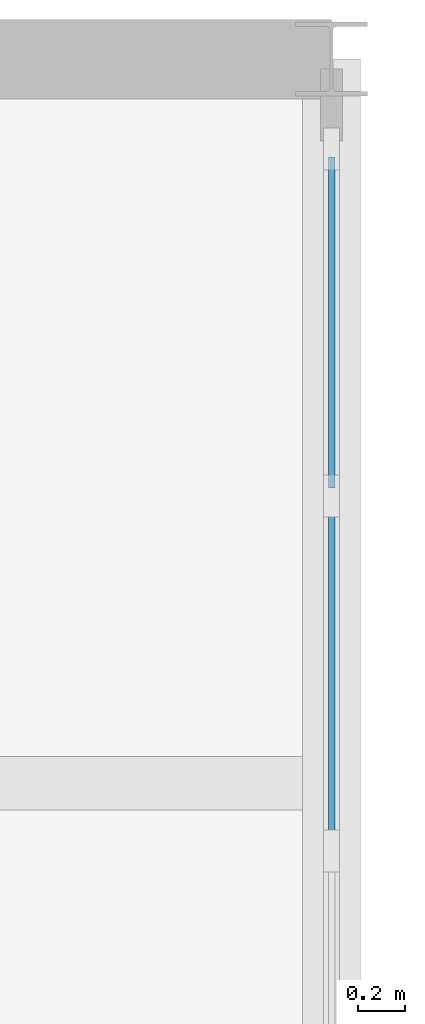
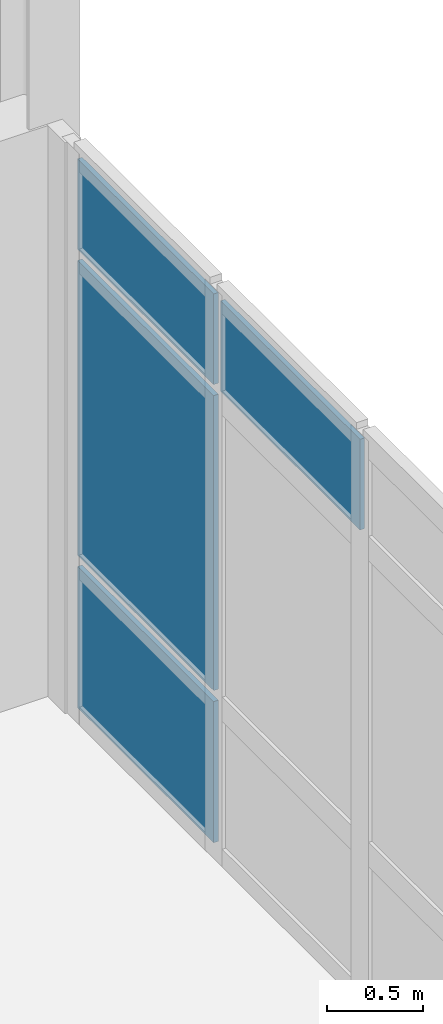
# One storey, part 102 of 134: 4 plates, 1 element without a shape of its own.
"""IFC4 building model written with IfcOpenShell, lengths in metres."""

from ifc_helpers import new_model, si_unit, direction, frame, origin, origin_2d, place, context, subcontext, project, spatial, rectangle, extrude, material, layer, layer_set, type_object, element, aggregate, save


model = new_model("IFC4")

# Units and contexts
model_context = context("Model", 3, precision=1e-05, world=origin(), true_north=direction((0.0, 1.0)))
body_context = subcontext(model_context, "Body", "Model", "MODEL_VIEW")
ifc_project = project(units=[si_unit("LENGTHUNIT", "METRE"), si_unit("AREAUNIT", "SQUARE_METRE"), si_unit("VOLUMEUNIT", "CUBIC_METRE"), si_unit("PLANEANGLEUNIT", "RADIAN"), si_unit("MASSUNIT", "GRAM", prefix="KILO")], contexts=[model_context])

# Site, building, storey
site_placement = place(None, origin())
site = spatial("IfcSite", under=ifc_project, at=site_placement, CompositionType="ELEMENT")
building_placement = place(site_placement, origin())
building = spatial("IfcBuilding", under=site, at=building_placement, Name="Tameran Prism Museum", CompositionType="ELEMENT")
storey_placement = place(building_placement, frame((0.0, 0.0, 5.39990234375)))
storey = spatial("IfcBuildingStorey", under=building, at=storey_placement, Name="L01", CompositionType="ELEMENT", Elevation=5.39990234375)

# Curtain wall, plates
ifc_material_1 = material(Name="Anodised Aluminium 6063-T6 and Cyclone Solar Glass", Category="aluminium")
curtain_wall_type = type_object("IfcCurtainWallType", Name="CW-FAC-1520x362", PredefinedType="USERDEFINED", material=ifc_material_1)
curtain_wall_placement = place(storey_placement, origin())
curtain_wall = element("IfcCurtainWall", 1, at=curtain_wall_placement, inside=storey, type_object=curtain_wall_type, Name="Unitised Curtain Wall CW-060", ObjectType="UNITISED CURTAIN WALL", PredefinedType="USERDEFINED")
ifc_material_2 = material(Name="Low-E Laminated Solar Glass", Category="glass")
ifc_layer = layer(ifc_material_2, 0.028076171875)
ifc_layer_set = layer_set([ifc_layer])
plate_type = type_object("IfcPlateType", Name="CW-PNL-G28", PredefinedType="CURTAIN_PANEL", material=ifc_layer_set)
plate_1_placement = place(storey_placement, frame((166.39990234375, 110.87255859375, 0.070068359375), z_axis=(0.0, 0.0, 1.0), x_axis=(0.0, -1.0, 0.0)))
plate_1 = element("IfcPlate", 2, at=plate_1_placement, type_object=plate_type, Name="CW-060 panel 1.1", PredefinedType="CURTAIN_PANEL", context=body_context, shape_type="SweptSolid", body=[
    extrude(rectangle(XDim=1.4150390625, YDim=0.028076171875, at=origin_2d()), origin(), (0.0, 0.0, 1.0), 0.89501953125),
])
plate_2_placement = place(storey_placement, frame((166.39990234375, 110.87255859375, 1.03515625), z_axis=(0.0, 0.0, 1.0), x_axis=(0.0, -1.0, 0.0)))
plate_2 = element("IfcPlate", 3, at=plate_2_placement, type_object=plate_type, Name="CW-060 panel 1.2", PredefinedType="CURTAIN_PANEL", context=body_context, shape_type="SweptSolid", body=[
    extrude(rectangle(XDim=1.4150390625, YDim=0.028076171875, at=origin_2d()), origin(), (0.0, 0.0, 1.0), 1.8701171875),
])
plate_3_placement = place(storey_placement, frame((166.39990234375, 110.87255859375, 2.97509765625), z_axis=(0.0, 0.0, 1.0), x_axis=(0.0, -1.0, 0.0)))
plate_3 = element("IfcPlate", 4, at=plate_3_placement, type_object=plate_type, Name="CW-060 panel 1.3", PredefinedType="CURTAIN_PANEL", context=body_context, shape_type="SweptSolid", body=[
    extrude(rectangle(XDim=1.4150390625, YDim=0.028076171875, at=origin_2d()), origin(), (0.0, 0.0, 1.0), 0.574951171875),
])
plate_4_placement = place(storey_placement, frame((166.39990234375, 109.3701171875, 2.97509765625), z_axis=(0.0, 0.0, 1.0), x_axis=(0.0, -1.0, 0.0)))
plate_4 = element("IfcPlate", 5, at=plate_4_placement, type_object=plate_type, Name="CW-060 panel 2.3", PredefinedType="CURTAIN_PANEL", context=body_context, shape_type="SweptSolid", body=[
    extrude(rectangle(XDim=1.449951171875, YDim=0.028076171875, at=origin_2d()), origin(), (0.0, 0.0, 1.0), 0.574951171875),
])
aggregate(curtain_wall, [plate_1, plate_2, plate_3, plate_4])

save(model, "model.ifc")
